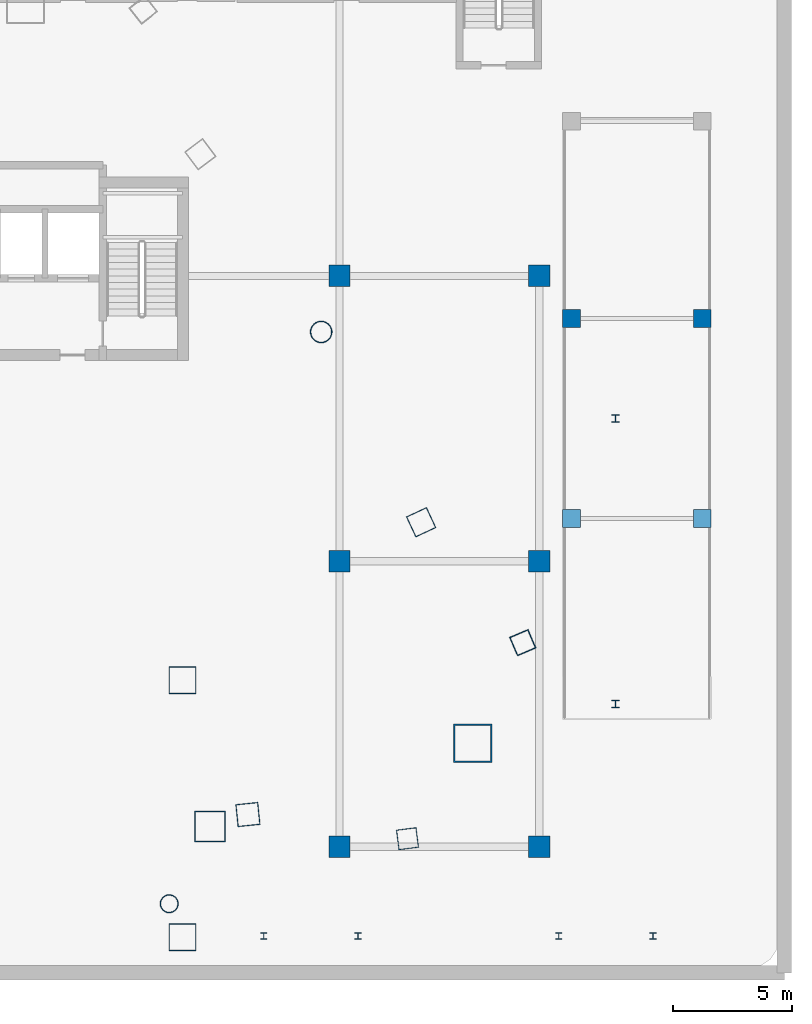
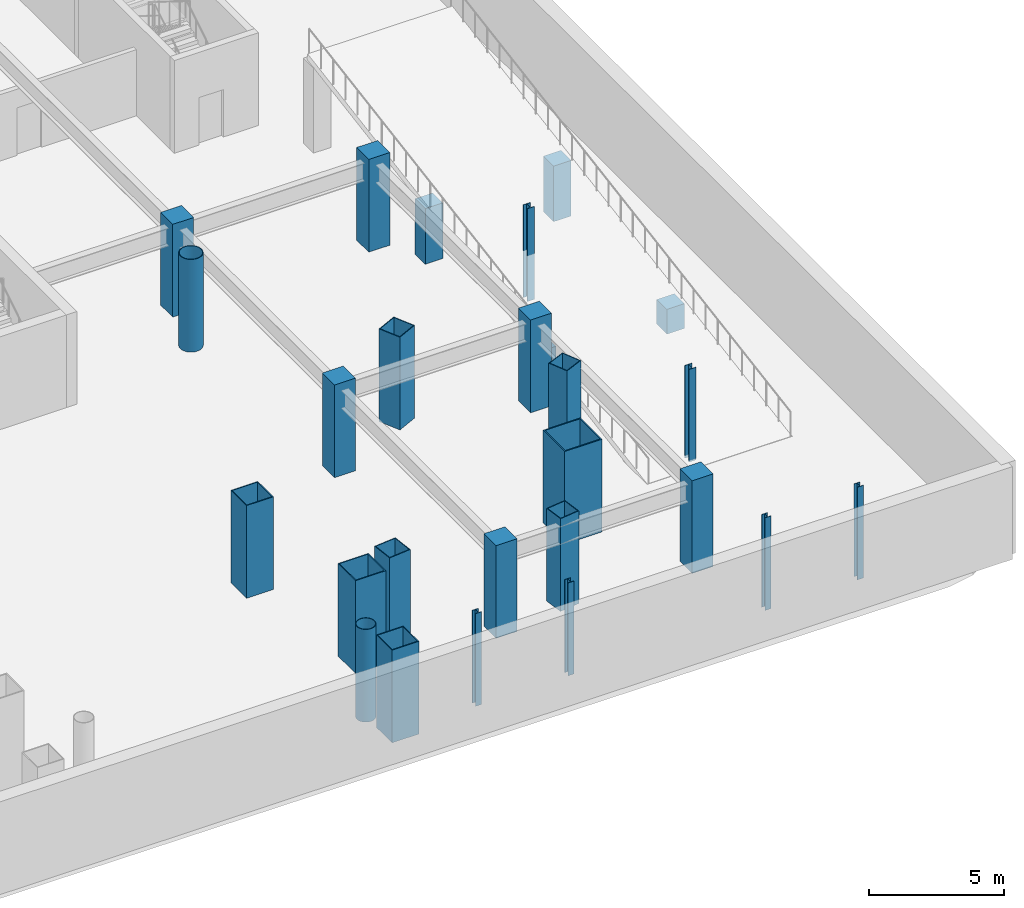
# One storey, part 2 of 10: 26 columns.
"""IFC4 building model written with IfcOpenShell, lengths in metres."""

from ifc_helpers import new_model, si_unit, direction, frame, origin, origin_2d, place, context, subcontext, project, spatial, rectangle, hollow_rectangle, hollow_circle, i_section, extrude, material, material_profile, profile_set, type_object, element, save


model = new_model("IFC4")

# Units and contexts
model_context = context("Model", 3, precision=1e-05, world=origin(), true_north=direction((0.0, 1.0)))
body_context = subcontext(model_context, "Body", "Model", "MODEL_VIEW")
ifc_project = project(units=[si_unit("LENGTHUNIT", "METRE"), si_unit("AREAUNIT", "SQUARE_METRE"), si_unit("VOLUMEUNIT", "CUBIC_METRE"), si_unit("PLANEANGLEUNIT", "RADIAN"), si_unit("MASSUNIT", "GRAM", prefix="KILO")], contexts=[model_context])

# Site, building, storey
site_placement = place(None, origin())
site = spatial("IfcSite", under=ifc_project, at=site_placement, CompositionType="ELEMENT")
building_placement = place(site_placement, origin())
building = spatial("IfcBuilding", under=site, at=building_placement, Name="Orvanel Arch Residences", CompositionType="ELEMENT")
storey_placement = place(building_placement, frame((0.0, 0.0, -4.199951171875)))
storey = spatial("IfcBuildingStorey", under=building, at=storey_placement, Name="B01", CompositionType="ELEMENT", Elevation=-4.199951171875)

# Columns
ifc_material_1 = material(Name="Structural steel AS/NZS 1163 C450L0 (Grade 450)", Category="steel")
ifc_material_profile_1 = material_profile(ifc_material_1, hollow_circle(Radius=0.381103515625, WallThickness=0.02197265625, at=origin_2d()), Name="CHS762x22")
ifc_profile_set_1 = profile_set([ifc_material_profile_1], Name="Structural steel AS/NZS 1163 C450L0 (Grade 450)")
column_type_1 = type_object("IfcColumnType", Name="CC-762", PredefinedType="COLUMN", material=ifc_profile_set_1)
column_1_placement = place(storey_placement, frame((39.0419921875, 3.60498046875, 0.0), z_axis=(0.0, 0.0, 1.0), x_axis=(1.0, 0.0, 0.0)))
element("IfcColumn", 1, at=column_1_placement, inside=storey, type_object=column_type_1, Name="B01 Low-Rise Buttress Tube Column 04", PredefinedType="COLUMN", context=body_context, shape_type="SweptSolid", body=[
    extrude(hollow_circle(Radius=0.381103515625, WallThickness=0.02197265625, at=origin_2d()), origin(), (0.0, 0.0, 1.0), 4.199951171875),
])
ifc_material_profile_2 = material_profile(ifc_material_1, hollow_circle(Radius=0.45703125, WallThickness=0.02490234375, at=origin_2d()), Name="CHS914x25")
ifc_profile_set_2 = profile_set([ifc_material_profile_2], Name="Structural steel AS/NZS 1163 C450L0 (Grade 450)")
column_type_2 = type_object("IfcColumnType", Name="CC-914", PredefinedType="COLUMN", material=ifc_profile_set_2)
column_2_placement = place(storey_placement, frame((45.430908203125, 27.64111328125, 0.0), z_axis=(0.0, 0.0, 1.0), x_axis=(1.0, 0.0, 0.0)))
element("IfcColumn", 2, at=column_2_placement, inside=storey, type_object=column_type_2, Name="B01 High-Rise Tube Column 08", PredefinedType="COLUMN", context=body_context, shape_type="SweptSolid", body=[
    extrude(hollow_circle(Radius=0.45703125, WallThickness=0.02490234375, at=origin_2d()), origin(), (0.0, 0.0, 1.0), 4.199951171875),
])
ifc_material_2 = material(Name="Structural steel AS/NZS 3678 Grade 450", Category="steel")
ifc_material_profile_3 = material_profile(ifc_material_2, hollow_rectangle(XDim=1.14990234375, YDim=1.14990234375, WallThickness=0.035888671875, at=origin_2d()), Name="BOX1150x1150x36")
ifc_profile_set_3 = profile_set([ifc_material_profile_3], Name="Structural steel AS/NZS 3678 Grade 450")
column_type_3 = type_object("IfcColumnType", Name="MC-1150", PredefinedType="COLUMN", material=ifc_profile_set_3)
for number, where, z_axis, x_axis, name in (
    (3, (39.60009765625, 2.199951171875, 0.0), (0.0, 0.0, 1.0), (1.0, 0.0, 0.0), "B01 Arch Portal Pier SOUTH E"),
    (4, (39.60009765625, 13.0, 0.0), (0.0, 0.0, 1.0), (1.0, 0.0, 0.0), "B01 Arch Portal Pier MID E"),
):
    element("IfcColumn", number, at=place(storey_placement, frame(where, z_axis=z_axis, x_axis=x_axis)), inside=storey, type_object=column_type_3, Name=name, PredefinedType="COLUMN", context=body_context, shape_type="SweptSolid", body=[
        extrude(hollow_rectangle(XDim=1.14990234375, YDim=1.14990234375, WallThickness=0.035888671875, at=origin_2d()), origin(), (0.0, 0.0, 1.0), 4.199951171875),
    ])
ifc_material_profile_4 = material_profile(ifc_material_2, hollow_rectangle(XDim=1.300048828125, YDim=1.300048828125, WallThickness=0.0400390625, at=origin_2d()), Name="BOX1300x1300x40")
ifc_profile_set_4 = profile_set([ifc_material_profile_4], Name="Structural steel AS/NZS 3678 Grade 450")
column_type_4 = type_object("IfcColumnType", Name="MC-1300", PredefinedType="COLUMN", material=ifc_profile_set_4)
column_3_placement = place(storey_placement, frame((40.75, 6.843994140625, 0.0), z_axis=(0.0, 0.0, 1.0), x_axis=(1.0, 0.0, 0.0)))
element("IfcColumn", 5, at=column_3_placement, inside=storey, type_object=column_type_4, Name="B01 Arch Transfer Pier E", PredefinedType="COLUMN", context=body_context, shape_type="SweptSolid", body=[
    extrude(hollow_rectangle(XDim=1.300048828125, YDim=1.300048828125, WallThickness=0.0400390625, at=origin_2d()), origin(), (0.0, 0.0, 1.0), 4.199951171875),
])
ifc_material_profile_5 = material_profile(ifc_material_2, hollow_rectangle(XDim=1.60009765625, YDim=1.60009765625, WallThickness=0.050048828125, at=origin_2d()), Name="BOX1600x1600x50")
ifc_profile_set_5 = profile_set([ifc_material_profile_5], Name="Structural steel AS/NZS 3678 Grade 450")
column_type_5 = type_object("IfcColumnType", Name="MC-1600", PredefinedType="COLUMN", material=ifc_profile_set_5)
column_4_placement = place(storey_placement, frame((51.801025390625, 10.35107421875, 0.0), z_axis=(0.0, 0.0, 1.0), x_axis=(1.0, 0.0, 0.0)))
element("IfcColumn", 6, at=column_4_placement, inside=storey, type_object=column_type_5, Name="B01 Corner Composite Mega-Column 3", PredefinedType="COLUMN", context=body_context, shape_type="SweptSolid", body=[
    extrude(hollow_rectangle(XDim=1.60009765625, YDim=1.60009765625, WallThickness=0.050048828125, at=origin_2d()), origin(), (0.0, 0.0, 1.0), 4.199951171875),
])
ifc_material_3 = material(Name="Concrete S65 (65 MPa)", Category="concrete")
ifc_material_profile_6 = material_profile(ifc_material_3, rectangle(XDim=0.75, YDim=0.75, at=origin_2d()), Name="RC750x750")
ifc_profile_set_6 = profile_set([ifc_material_profile_6], Name="Concrete S65 (65 MPa)")
column_type_6 = type_object("IfcColumnType", Name="PC-750", PredefinedType="COLUMN", material=ifc_profile_set_6)
for number, where, z_axis, x_axis, name in (
    (7, (55.949951171875, 19.800048828125, 0.0), (0.0, 0.0, 1.0), (1.0, 0.0, 0.0), "B01 East Ramp Support Pier"),
    (8, (61.449951171875, 19.800048828125, 0.0), (0.0, 0.0, 1.0), (1.0, 0.0, 0.0), "B01 East Ramp Support Pier"),
):
    element("IfcColumn", number, at=place(storey_placement, frame(where, z_axis=z_axis, x_axis=x_axis)), inside=storey, type_object=column_type_6, Name=name, PredefinedType="COLUMN", context=body_context, shape_type="SweptSolid", body=[
        extrude(rectangle(XDim=0.75, YDim=0.75, at=origin_2d()), origin(), (0.0, 0.0, 1.0), 1.119873046875),
    ])
for number, where, z_axis, x_axis, name in (
    (9, (55.949951171875, 28.199951171875, 0.0), (0.0, 0.0, 1.0), (1.0, 0.0, 0.0), "B01 East Ramp Support Pier"),
    (10, (61.449951171875, 28.199951171875, 0.0), (0.0, 0.0, 1.0), (1.0, 0.0, 0.0), "B01 East Ramp Support Pier"),
):
    element("IfcColumn", number, at=place(storey_placement, frame(where, z_axis=z_axis, x_axis=x_axis)), inside=storey, type_object=column_type_6, Name=name, PredefinedType="COLUMN", context=body_context, shape_type="SweptSolid", body=[
        extrude(rectangle(XDim=0.75, YDim=0.75, at=origin_2d()), origin(), (0.0, 0.0, 1.0), 2.52001953125),
    ])
ifc_material_profile_7 = material_profile(ifc_material_3, rectangle(XDim=0.89990234375, YDim=0.89990234375, at=origin_2d()), Name="RC900x900")
ifc_profile_set_7 = profile_set([ifc_material_profile_7], Name="Concrete S65 (65 MPa)")
column_type_7 = type_object("IfcColumnType", Name="PC-900", PredefinedType="COLUMN", material=ifc_profile_set_7)
for number, where, z_axis, x_axis, name in (
    (11, (46.199951171875, 6.0, 0.0), (0.0, 0.0, 1.0), (1.0, 0.0, 0.0), "B01 Podium Grid Column 08"),
    (12, (46.199951171875, 18.0, 0.0), (0.0, 0.0, 1.0), (1.0, 0.0, 0.0), "B01 Podium Grid Column 09"),
    (13, (46.199951171875, 30.0, 0.0), (0.0, 0.0, 1.0), (1.0, 0.0, 0.0), "B01 Podium Grid Column 10"),
    (14, (54.60009765625, 6.0, 0.0), (0.0, 0.0, 1.0), (1.0, 0.0, 0.0), "B01 Podium Grid Column 12"),
    (15, (54.60009765625, 18.0, 0.0), (0.0, 0.0, 1.0), (1.0, 0.0, 0.0), "B01 Podium Grid Column 13"),
    (16, (54.60009765625, 30.0, 0.0), (0.0, 0.0, 1.0), (1.0, 0.0, 0.0), "B01 Podium Grid Column 14"),
):
    element("IfcColumn", number, at=place(storey_placement, frame(where, z_axis=z_axis, x_axis=x_axis)), inside=storey, type_object=column_type_7, Name=name, PredefinedType="COLUMN", context=body_context, shape_type="SweptSolid", body=[
        extrude(rectangle(XDim=0.89990234375, YDim=0.89990234375, at=origin_2d()), origin(), (0.0, 0.0, 1.0), 4.199951171875),
    ])
ifc_material_4 = material(Name="Structural steel AS/NZS 3679.1 Grade 300 (300 MPa)", Category="steel")
ifc_material_profile_8 = material_profile(ifc_material_4, i_section(OverallWidth=0.256103515625, OverallDepth=0.260009765625, WebThickness=0.010498046875, FlangeThickness=0.017333984375, at=origin_2d()), Name="250UC89.5")
ifc_profile_set_8 = profile_set([ifc_material_profile_8], Name="Structural steel AS/NZS 3679.1 Grade 300 (300 MPa)")
column_type_8 = type_object("IfcColumnType", Name="SC-250UC", PredefinedType="COLUMN", material=ifc_profile_set_8)
for number, where, z_axis, x_axis, name in (
    (17, (43.02001953125, 2.25, 0.0), (0.0, 0.0, 1.0), (1.0, 0.0, 0.0), "B01 Canopy Rear Support Column 03.1"),
    (18, (46.97998046875, 2.25, 0.0), (0.0, 0.0, 1.0), (1.0, 0.0, 0.0), "B01 Canopy Rear Support Column 03.2"),
    (19, (55.419921875, 2.25, 0.0), (0.0, 0.0, 1.0), (1.0, 0.0, 0.0), "B01 Canopy Rear Support Column 04.1"),
    (20, (59.3798828125, 2.25, 0.0), (0.0, 0.0, 1.0), (1.0, 0.0, 0.0), "B01 Canopy Rear Support Column 04.2"),
):
    element("IfcColumn", number, at=place(storey_placement, frame(where, z_axis=z_axis, x_axis=x_axis)), inside=storey, type_object=column_type_8, Name=name, PredefinedType="COLUMN", context=body_context, shape_type="SweptSolid", body=[
        extrude(i_section(OverallWidth=0.256103515625, OverallDepth=0.260009765625, WebThickness=0.010498046875, FlangeThickness=0.017333984375, at=origin_2d()), origin(), (0.0, 0.0, 1.0), 4.199951171875),
    ])
ifc_material_profile_9 = material_profile(ifc_material_4, i_section(OverallWidth=0.306884765625, OverallDepth=0.31494140625, WebThickness=0.011962890625, FlangeThickness=0.018798828125, at=origin_2d()), Name="310UC118")
ifc_profile_set_9 = profile_set([ifc_material_profile_9], Name="Structural steel AS/NZS 3679.1 Grade 300 (300 MPa)")
column_type_9 = type_object("IfcColumnType", Name="SC-310UC118", PredefinedType="COLUMN", material=ifc_profile_set_9)
for number, where, z_axis, x_axis, name in (
    (21, (57.800048828125, 12.0, 0.0), (0.0, 0.0, 1.0), (1.0, 0.0, 0.0), "B01 Auxiliary Podium Column 03"),
    (22, (57.800048828125, 24.0, 0.0), (0.0, 0.0, 1.0), (1.0, 0.0, 0.0), "B01 Auxiliary Podium Column 04"),
):
    element("IfcColumn", number, at=place(storey_placement, frame(where, z_axis=z_axis, x_axis=x_axis)), inside=storey, type_object=column_type_9, Name=name, PredefinedType="COLUMN", context=body_context, shape_type="SweptSolid", body=[
        extrude(i_section(OverallWidth=0.306884765625, OverallDepth=0.31494140625, WebThickness=0.011962890625, FlangeThickness=0.018798828125, at=origin_2d()), origin(), (0.0, 0.0, 1.0), 4.199951171875),
    ])
ifc_material_5 = material(Name="Structural steel AS/NZS 3678 Grade 350", Category="steel")
ifc_material_profile_10 = material_profile(ifc_material_5, hollow_rectangle(XDim=0.85009765625, YDim=0.85009765625, WallThickness=0.028076171875, at=origin_2d()), Name="BOX850x850x28")
ifc_profile_set_10 = profile_set([ifc_material_profile_10], Name="Structural steel AS/NZS 3678 Grade 350")
column_type_10 = type_object("IfcColumnType", Name="TC-850", PredefinedType="COLUMN", material=ifc_profile_set_10)
for number, where, z_axis, x_axis, name in (
    (23, (49.05908203125, 6.339111328125, 0.0), (0.0, 0.0, 1.0), (0.99189444259, 0.127064608601, 0.0), "B01 Mid-Rise Buttress Tube Column 04"),
    (24, (53.905029296875, 14.580078125, 0.0), (0.0, 0.0, 1.0), (-0.397147890635, 0.917754625684, 0.0), "B01 Mid-Rise Buttress Tube Column 05"),
):
    element("IfcColumn", number, at=place(storey_placement, frame(where, z_axis=z_axis, x_axis=x_axis)), inside=storey, type_object=column_type_10, Name=name, PredefinedType="COLUMN", context=body_context, shape_type="SweptSolid", body=[
        extrude(hollow_rectangle(XDim=0.85009765625, YDim=0.85009765625, WallThickness=0.028076171875, at=origin_2d()), origin(), (0.0, 0.0, 1.0), 4.199951171875),
    ])
ifc_material_profile_11 = material_profile(ifc_material_5, hollow_rectangle(XDim=0.949951171875, YDim=0.949951171875, WallThickness=0.031982421875, at=origin_2d()), Name="BOX950x950x32")
ifc_profile_set_11 = profile_set([ifc_material_profile_11], Name="Structural steel AS/NZS 3678 Grade 350")
column_type_11 = type_object("IfcColumnType", Name="TC-950", PredefinedType="COLUMN", material=ifc_profile_set_11)
for number, where, z_axis, x_axis, name in (
    (25, (42.35107421875, 7.35498046875, 0.0), (0.0, 0.0, 1.0), (0.994880708829, 0.101056297183, 0.0), "B01 High-Rise Tube Column 06"),
    (26, (49.633056640625, 19.64208984375, 0.0), (0.0, 0.0, 1.0), (-0.422618261741, 0.906307787037, 0.0), "B01 High-Rise Tube Column 07"),
):
    element("IfcColumn", number, at=place(storey_placement, frame(where, z_axis=z_axis, x_axis=x_axis)), inside=storey, type_object=column_type_11, Name=name, PredefinedType="COLUMN", context=body_context, shape_type="SweptSolid", body=[
        extrude(hollow_rectangle(XDim=0.949951171875, YDim=0.949951171875, WallThickness=0.031982421875, at=origin_2d()), origin(), (0.0, 0.0, 1.0), 4.199951171875),
    ])

save(model, "model.ifc")
